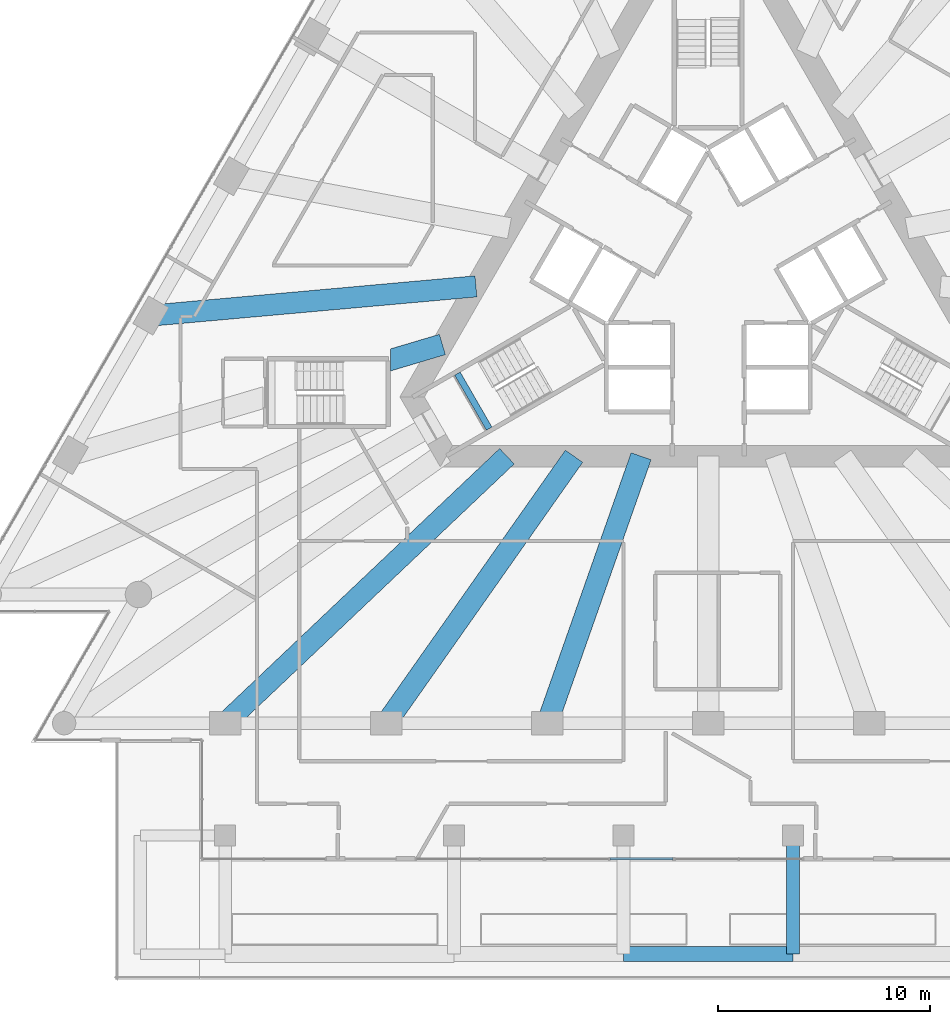
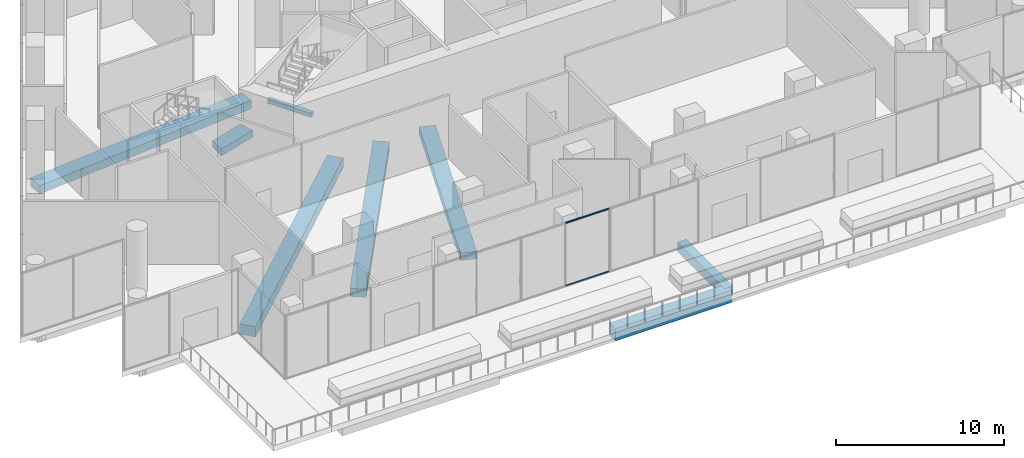
# One storey, part 6 of 32: 8 beams, 2 members, 1 element without a shape of its own.
"""IFC4 building model written with IfcOpenShell, lengths in metres."""

from ifc_helpers import new_model, si_unit, direction, frame, origin, origin_2d, place, context, subcontext, project, spatial, rectangle, extrude, clip, halfspace, material, layer, layer_set, material_profile, profile_set, type_object, element, aggregate, save


model = new_model("IFC4")

# Units and contexts
model_context = context("Model", 3, precision=1e-05, world=origin(), true_north=direction((0.0, 1.0)))
body_context = subcontext(model_context, "Body", "Model", "MODEL_VIEW")
ifc_project = project(units=[si_unit("LENGTHUNIT", "METRE"), si_unit("AREAUNIT", "SQUARE_METRE"), si_unit("VOLUMEUNIT", "CUBIC_METRE"), si_unit("PLANEANGLEUNIT", "RADIAN"), si_unit("MASSUNIT", "GRAM", prefix="KILO")], contexts=[model_context])

# Site, building, storey
site_placement = place(None, origin())
site = spatial("IfcSite", under=ifc_project, at=site_placement, CompositionType="ELEMENT")
building_placement = place(site_placement, origin())
building = spatial("IfcBuilding", under=site, at=building_placement, Name="Triada Interchange Tower", CompositionType="ELEMENT")
storey_placement = place(building_placement, frame((0.0, 0.0, 25.300048828125)))
storey = spatial("IfcBuildingStorey", under=building, at=storey_placement, Name="L04", CompositionType="ELEMENT", Elevation=25.300048828125)

# Beams
ifc_material_1 = material(Name="Concrete C35/45", Category="concrete")
ifc_material_profile_1 = material_profile(ifc_material_1, rectangle(XDim=0.300048828125, YDim=0.300048828125, at=origin_2d()), Name="RC 300x300")
ifc_profile_set_1 = profile_set([ifc_material_profile_1], Name="Concrete C35/45")
beam_type_1 = type_object("IfcBeamType", Name="Landing support beam RC 300x300", PredefinedType="BEAM", material=ifc_profile_set_1)
beam_1_placement = place(storey_placement, frame((-11.8349609375, -5.10107421875, 2.14990234375), z_axis=(0.50002537861, -0.866010750942, 0.0), x_axis=(0.866010750942, 0.50002537861, 0.0)))
element("IfcBeam", 1, at=beam_1_placement, inside=storey, type_object=beam_type_1, Name="Landing support beam S04-2 1", PredefinedType="BEAM", context=body_context, shape_type="SweptSolid", body=[
    extrude(rectangle(XDim=0.300048828125, YDim=0.300048828125, at=origin_2d()), origin(), (0.0, 0.0, 1.0), 2.999755859375),
])
ifc_material_2 = material(Name="Concrete C50/60", Category="concrete")
ifc_material_profile_2 = material_profile(ifc_material_2, rectangle(XDim=1.0, YDim=0.5, at=origin_2d()), Name="RC 1000x500")
ifc_profile_set_2 = profile_set([ifc_material_profile_2], Name="Concrete C50/60")
beam_type_2 = type_object("IfcBeamType", Name="Radial band beam P RC 1000x500", PredefinedType="BEAM", material=ifc_profile_set_2)
beam_2_placement = place(storey_placement, frame((-16.43798828125, -4.884033203125, -0.650146484375), z_axis=(0.95858381739, 0.284810577468, 0.0), x_axis=(-0.284810577468, 0.95858381739, 0.0)))
element("IfcBeam", 2, at=beam_2_placement, inside=storey, type_object=beam_type_2, Name="Radial band beam BP08B L04", PredefinedType="BEAM", context=body_context, shape_type="Clipping", body=[
    clip(extrude(rectangle(XDim=1.0, YDim=0.5, at=origin_2d()), origin(), (0.0, 0.0, 1.0), 4.062255859375), halfspace(frame((0.150146484375, -24.64990234375, 1.544677734375), z_axis=(0.284810577468, 0.0, -0.95858381739), x_axis=(0.0, -1.0, 0.0)), False)),
])
ifc_material_profile_3 = material_profile(ifc_material_2, rectangle(XDim=1.0, YDim=0.550048828125, at=origin_2d()), Name="RC 1000x550")
ifc_profile_set_3 = profile_set([ifc_material_profile_3], Name="Concrete C50/60")
beam_type_3 = type_object("IfcBeamType", Name="Radial band beam P RC 1000x550", PredefinedType="BEAM", material=ifc_profile_set_3)
beam_3_placement = place(storey_placement, frame((-7.59912109375, -21.60009765625, -0.675048828125), z_axis=(0.331888742463, 0.943318537201, 0.0), x_axis=(-0.943318537201, 0.331888742463, 0.0)))
element("IfcBeam", 3, at=beam_3_placement, inside=storey, type_object=beam_type_3, Name="Radial band beam BP14 L04", PredefinedType="BEAM", context=body_context, shape_type="SweptSolid", body=[
    extrude(rectangle(XDim=1.0, YDim=0.550048828125, at=origin_2d()), origin(), (0.0, 0.0, 1.0), 13.357177734375),
])
ifc_material_profile_4 = material_profile(ifc_material_2, rectangle(XDim=1.0, YDim=0.60009765625, at=origin_2d()), Name="RC 1000x600")
ifc_profile_set_4 = profile_set([ifc_material_profile_4], Name="Concrete C50/60")
beam_type_4 = type_object("IfcBeamType", Name="Radial band beam P RC 1000x600", PredefinedType="BEAM", material=ifc_profile_set_4)
for number, where, z_axis, x_axis, name in (
    (4, (-26.305908203125, -2.362060546875, -0.699951171875), (0.995991072831, 0.089452684934, 0.0), (-0.089452684934, 0.995991072831, 0.0), "Radial band beam BP07 L04"),
    (5, (-15.197998046875, -21.60009765625, -0.699951171875), (0.575460041142, 0.81782989738, 0.0), (-0.81782989738, 0.575460041142, 0.0), "Radial band beam BP13 L04"),
):
    element("IfcBeam", number, at=place(storey_placement, frame(where, z_axis=z_axis, x_axis=x_axis)), inside=storey, type_object=beam_type_4, Name=name, PredefinedType="BEAM", context=body_context, shape_type="SweptSolid", body=[
        extrude(rectangle(XDim=1.0, YDim=0.60009765625, at=origin_2d()), origin(), (0.0, 0.0, 1.0), 15.40673828125),
    ])
ifc_material_profile_5 = material_profile(ifc_material_2, rectangle(XDim=1.0, YDim=0.75, at=origin_2d()), Name="RC 1000x750")
ifc_profile_set_5 = profile_set([ifc_material_profile_5], Name="Concrete C50/60")
beam_type_5 = type_object("IfcBeamType", Name="Radial band beam P RC 1000x750", PredefinedType="BEAM", material=ifc_profile_set_5)
beam_4_placement = place(storey_placement, frame((-22.798095703125, -21.60009765625, -0.775146484375), z_axis=(0.725926069578, 0.687772739723, 0.0), x_axis=(-0.687772739723, 0.725926069578, 0.0)))
element("IfcBeam", 6, at=beam_4_placement, inside=storey, type_object=beam_type_5, Name="Radial band beam BP12 L04", PredefinedType="BEAM", context=body_context, shape_type="SweptSolid", body=[
    extrude(rectangle(XDim=1.0, YDim=0.75, at=origin_2d()), origin(), (0.0, 0.0, 1.0), 18.320068359375),
])
ifc_material_3 = material(Name="Concrete C40/50", Category="concrete")
ifc_material_profile_6 = material_profile(ifc_material_3, rectangle(XDim=0.60009765625, YDim=0.699951171875, at=origin_2d()), Name="RC 600x700")
ifc_profile_set_6 = profile_set([ifc_material_profile_6], Name="Concrete C40/50")
beam_type_6 = type_object("IfcBeamType", Name="Terrace beam RC 600x700", PredefinedType="BEAM", material=ifc_profile_set_6)
beam_5_placement = place(storey_placement, frame((4.0, -32.5, -0.75), z_axis=(0.0, 1.0, 0.0), x_axis=(-1.0, 0.0, 0.0)))
element("IfcBeam", 7, at=beam_5_placement, inside=storey, type_object=beam_type_6, Name="Terrace beam TE10 L04", PredefinedType="BEAM", context=body_context, shape_type="SweptSolid", body=[
    extrude(rectangle(XDim=0.60009765625, YDim=0.699951171875, at=origin_2d()), origin(), (0.0, 0.0, 1.0), 5.60009765625),
])
ifc_material_profile_7 = material_profile(ifc_material_3, rectangle(XDim=0.699951171875, YDim=0.89990234375, at=origin_2d()), Name="RC 700x900")
ifc_profile_set_7 = profile_set([ifc_material_profile_7], Name="Concrete C40/50")
beam_type_7 = type_object("IfcBeamType", Name="Terrace beam RC 700x900", PredefinedType="BEAM", material=ifc_profile_set_7)
beam_6_placement = place(storey_placement, frame((-4.0, -32.5, -0.85009765625), z_axis=(1.0, 0.0, 0.0), x_axis=(0.0, 1.0, 0.0)))
element("IfcBeam", 8, at=beam_6_placement, inside=storey, type_object=beam_type_7, Name="Terrace beam TE15 L04", PredefinedType="BEAM", context=body_context, shape_type="SweptSolid", body=[
    extrude(rectangle(XDim=0.699951171875, YDim=0.89990234375, at=origin_2d()), origin(), (0.0, 0.0, 1.0), 8.0),
])

# Curtain wall, members
ifc_material_4 = material(Name="Aluminium framed glazing", Category="aluminium")
ifc_layer = layer(ifc_material_4, 0.199951171875)
ifc_layer_set = layer_set([ifc_layer], Name="Curtain wall Winter garden glazing")
curtain_wall_type = type_object("IfcCurtainWallType", Name="Curtain wall Winter garden glazing", PredefinedType="NOTDEFINED", material=ifc_layer_set)
curtain_wall_placement = place(storey_placement, origin())
curtain_wall = element("IfcCurtainWall", 9, at=curtain_wall_placement, inside=storey, type_object=curtain_wall_type, Name="Winter garden glazing CW003 L04", PredefinedType="NOTDEFINED")
ifc_material_5 = material(Name="Aluminium", Category="aluminium")
ifc_material_profile_8 = material_profile(ifc_material_5, rectangle(XDim=0.10009765625, YDim=0.050048828125, at=origin_2d()), Name="Aluminium transom")
ifc_profile_set_8 = profile_set([ifc_material_profile_8], Name="Aluminium")
member_type = type_object("IfcMemberType", Name="Transom Winter garden glazing 100x50", PredefinedType="USERDEFINED", material=ifc_profile_set_8)
member_1_placement = place(storey_placement, frame((-4.6416015625, -28.0, 0.02490234375), z_axis=(1.0, 0.0, 0.0), x_axis=(0.0, 1.0, 0.0)))
member_1 = element("IfcMember", 10, at=member_1_placement, type_object=member_type, Name="CW003 transom 2.1", ObjectType="TRANSOM", PredefinedType="USERDEFINED", context=body_context, shape_type="SweptSolid", body=[
    extrude(rectangle(XDim=0.10009765625, YDim=0.050048828125, at=origin_2d()), origin(), (0.0, 0.0, 1.0), 2.9755859375),
])
member_2_placement = place(storey_placement, frame((-4.6416015625, -28.0, 4.574951171875), z_axis=(1.0, 0.0, 0.0), x_axis=(0.0, 1.0, 0.0)))
member_2 = element("IfcMember", 11, at=member_2_placement, type_object=member_type, Name="CW003 transom 2.2", ObjectType="TRANSOM", PredefinedType="USERDEFINED", context=body_context, shape_type="SweptSolid", body=[
    extrude(rectangle(XDim=0.10009765625, YDim=0.050048828125, at=origin_2d()), origin(), (0.0, 0.0, 1.0), 2.9755859375),
])
aggregate(curtain_wall, [member_1, member_2])

save(model, "model.ifc")
